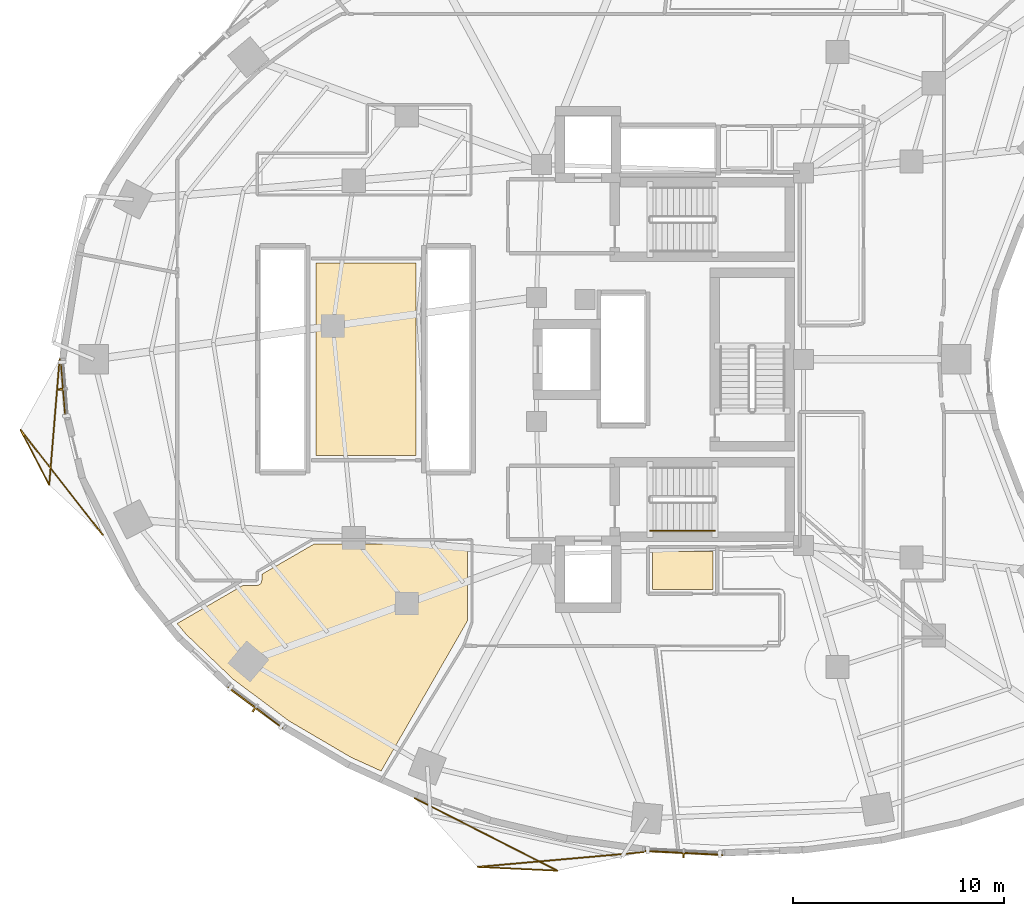
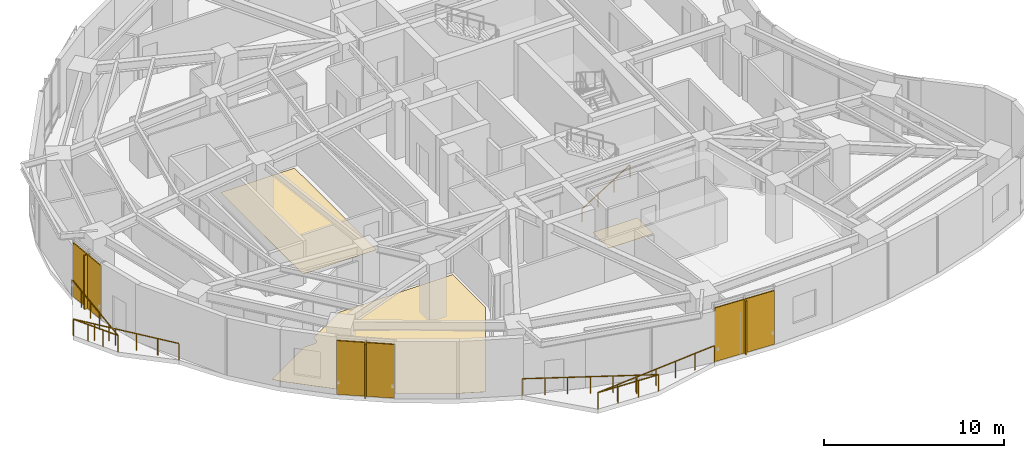
# One storey, part 13 of 15: 6 shading devices, 3 coverings, 3 railings.
"""IFC4 building model written with IfcOpenShell, lengths in metres."""

from ifc_helpers import new_model, si_unit, direction, frame, origin, origin_2d, place, context, subcontext, project, spatial, polyline, rectangle, outline, extrude, material, layer, layer_set, type_object, element, save


model = new_model("IFC4")

# Units and contexts
model_context = context("Model", 3, precision=1e-05, world=origin(), true_north=direction((0.0, 1.0)))
body_context = subcontext(model_context, "Body", "Model", "MODEL_VIEW")
ifc_project = project(units=[si_unit("LENGTHUNIT", "METRE"), si_unit("AREAUNIT", "SQUARE_METRE"), si_unit("VOLUMEUNIT", "CUBIC_METRE"), si_unit("PLANEANGLEUNIT", "RADIAN"), si_unit("MASSUNIT", "GRAM", prefix="KILO")], contexts=[model_context])

# Site, building, storey
site_placement = place(None, origin())
site = spatial("IfcSite", under=ifc_project, at=site_placement, CompositionType="ELEMENT")
building_placement = place(site_placement, origin())
building = spatial("IfcBuilding", under=site, at=building_placement, Name="Korentha Bioscience Tower", CompositionType="ELEMENT")
storey_placement = place(building_placement, frame((0.0, 0.0, 72.0)))
storey = spatial("IfcBuildingStorey", under=building, at=storey_placement, Name="L16", CompositionType="ELEMENT", Elevation=72.0)

# Railings
ifc_material_1 = material(Name="Stainless Steel 304", Category="steel")
railing_type_1 = type_object("IfcRailingType", Name="Brushed Stainless Stair Handrail 900", PredefinedType="HANDRAIL", material=ifc_material_1)
railing_1_placement = place(storey_placement, frame((30.25, 18.85009765625, 0.175048828125)))
element("IfcRailing", 1, at=railing_1_placement, inside=storey, type_object=railing_type_1, Name="L16 ST-2 stair handrail 1", PredefinedType="HANDRAIL", context=body_context, shape_type="SweptSolid", body=[
    extrude(rectangle(XDim=0.048095703125, YDim=0.048095703125, at=origin_2d()), frame((0.0, 0.0, 0.8759765625), z_axis=(0.847998304005, 0.0, 0.529998940003), x_axis=(0.0, 1.0, 0.0)), (0.0, 0.0, 1.0), 3.632080078125),
    extrude(rectangle(XDim=0.0419921875, YDim=0.0419921875, at=origin_2d()), origin(), (0.0, 0.0, 1.0), 0.851806640625),
    extrude(rectangle(XDim=0.0419921875, YDim=0.0419921875, at=origin_2d()), frame((1.026611328125, 0.0, 0.6416015625)), (0.0, 0.0, 1.0), 0.851806640625),
    extrude(rectangle(XDim=0.0419921875, YDim=0.0419921875, at=origin_2d()), frame((2.053466796875, 0.0, 1.283447265625)), (0.0, 0.0, 1.0), 0.851806640625),
    extrude(rectangle(XDim=0.0419921875, YDim=0.0419921875, at=origin_2d()), frame((3.080078125, 0.0, 1.925048828125)), (0.0, 0.0, 1.0), 0.851806640625),
])
ifc_material_2 = material(Name="Laminated Tempered Safety Glass", Category="glass")
railing_type_2 = type_object("IfcRailingType", Name="Laminated Glass Balcony Guardrail 1150", PredefinedType="BALUSTRADE", material=ifc_material_2)
railing_2_placement = place(storey_placement, frame((2.199951171875, 27.0, 0.0)))
element("IfcRailing", 2, at=railing_2_placement, inside=storey, type_object=railing_type_2, Name="L16 Balcony Guardrail 02", PredefinedType="BALUSTRADE", context=body_context, shape_type="SweptSolid", body=[
    extrude(rectangle(XDim=0.048095703125, YDim=0.048095703125, at=origin_2d()), frame((0.0, 0.0, 1.1259765625), z_axis=(-0.082377218536, -0.996601221084, 0.0), x_axis=(0.996601221084, -0.082377218536, 0.0)), (0.0, 0.0, 1.0), 5.986572265625),
    extrude(rectangle(XDim=0.048095703125, YDim=0.048095703125, at=origin_2d()), frame((-0.4931640625, -5.96630859375, 1.1259765625), z_axis=(-0.46168810781, 0.887042327686, 0.0), x_axis=(-0.887042327686, -0.46168810781, 0.0)), (0.0, 0.0, 1.0), 2.95654296875),
    extrude(rectangle(XDim=0.048095703125, YDim=0.048095703125, at=origin_2d()), frame((-1.858154296875, -3.34375, 1.1259765625), z_axis=(0.616598258168, -0.787277961094, 0.0), x_axis=(0.787277961094, 0.616598258168, 0.0)), (0.0, 0.0, 1.0), 6.332275390625),
    extrude(rectangle(XDim=0.0419921875, YDim=0.0419921875, at=origin_2d()), origin(), (0.0, 0.0, 1.0), 1.101806640625),
    extrude(rectangle(XDim=0.0419921875, YDim=0.0419921875, at=origin_2d()), frame((-0.0986328125, -1.193359375, 0.0)), (0.0, 0.0, 1.0), 1.101806640625),
    extrude(rectangle(XDim=0.0419921875, YDim=0.0419921875, at=origin_2d()), frame((-0.197265625, -2.386474609375, 0.0)), (0.0, 0.0, 1.0), 1.101806640625),
    extrude(rectangle(XDim=0.0419921875, YDim=0.0419921875, at=origin_2d()), frame((-0.2958984375, -3.579833984375, 0.0)), (0.0, 0.0, 1.0), 1.101806640625),
    extrude(rectangle(XDim=0.0419921875, YDim=0.0419921875, at=origin_2d()), frame((-0.39453125, -4.77294921875, 0.0)), (0.0, 0.0, 1.0), 1.101806640625),
    extrude(rectangle(XDim=0.0419921875, YDim=0.0419921875, at=origin_2d()), frame((-0.4931640625, -5.96630859375, 0.0)), (0.0, 0.0, 1.0), 1.101806640625),
    extrude(rectangle(XDim=0.0419921875, YDim=0.0419921875, at=origin_2d()), frame((-0.9482421875, -5.092041015625, 0.0)), (0.0, 0.0, 1.0), 1.101806640625),
    extrude(rectangle(XDim=0.0419921875, YDim=0.0419921875, at=origin_2d()), frame((-1.403076171875, -4.218017578125, 0.0)), (0.0, 0.0, 1.0), 1.101806640625),
    extrude(rectangle(XDim=0.0419921875, YDim=0.0419921875, at=origin_2d()), frame((-1.858154296875, -3.34375, 0.0)), (0.0, 0.0, 1.0), 1.101806640625),
    extrude(rectangle(XDim=0.0419921875, YDim=0.0419921875, at=origin_2d()), frame((-1.0771484375, -4.3408203125, 0.0)), (0.0, 0.0, 1.0), 1.101806640625),
    extrude(rectangle(XDim=0.0419921875, YDim=0.0419921875, at=origin_2d()), frame((-0.29638671875, -5.337890625, 0.0)), (0.0, 0.0, 1.0), 1.101806640625),
    extrude(rectangle(XDim=0.0419921875, YDim=0.0419921875, at=origin_2d()), frame((0.484619140625, -6.3349609375, 0.0)), (0.0, 0.0, 1.0), 1.101806640625),
    extrude(rectangle(XDim=0.0419921875, YDim=0.0419921875, at=origin_2d()), frame((1.265380859375, -7.33203125, 0.0)), (0.0, 0.0, 1.0), 1.101806640625),
    extrude(rectangle(XDim=0.0419921875, YDim=0.0419921875, at=origin_2d()), frame((2.04638671875, -8.3291015625, 0.0)), (0.0, 0.0, 1.0), 1.101806640625),
])
railing_3_placement = place(storey_placement, frame((19.07080078125, 6.162353515625, 0.0)))
element("IfcRailing", 3, at=railing_3_placement, inside=storey, type_object=railing_type_2, Name="L16 Balcony Guardrail 03", PredefinedType="BALUSTRADE", context=body_context, shape_type="SweptSolid", body=[
    extrude(rectangle(XDim=0.048095703125, YDim=0.048095703125, at=origin_2d()), frame((0.0, 0.0, 1.1259765625), z_axis=(0.891319654486, -0.45337542228, 0.0), x_axis=(0.45337542228, 0.891319654486, 0.0)), (0.0, 0.0, 1.0), 7.610107421875),
    extrude(rectangle(XDim=0.048095703125, YDim=0.048095703125, at=origin_2d()), frame((6.782958984375, -3.4501953125, 1.1259765625), z_axis=(-0.998888075522, 0.047144592276, 0.0), x_axis=(-0.047144592276, -0.998888075522, 0.0)), (0.0, 0.0, 1.0), 3.80615234375),
    extrude(rectangle(XDim=0.048095703125, YDim=0.048095703125, at=origin_2d()), frame((2.98095703125, -3.270751953125, 1.1259765625), z_axis=(0.996070888577, 0.088559499377, 0.0), x_axis=(-0.088559499377, 0.996070888577, 0.0)), (0.0, 0.0, 1.0), 7.920166015625),
    extrude(rectangle(XDim=0.0419921875, YDim=0.0419921875, at=origin_2d()), origin(), (0.0, 0.0, 1.0), 1.101806640625),
    extrude(rectangle(XDim=0.0419921875, YDim=0.0419921875, at=origin_2d()), frame((1.13037109375, -0.574951171875, 0.0)), (0.0, 0.0, 1.0), 1.101806640625),
    extrude(rectangle(XDim=0.0419921875, YDim=0.0419921875, at=origin_2d()), frame((2.260986328125, -1.150146484375, 0.0)), (0.0, 0.0, 1.0), 1.101806640625),
    extrude(rectangle(XDim=0.0419921875, YDim=0.0419921875, at=origin_2d()), frame((3.3916015625, -1.72509765625, 0.0)), (0.0, 0.0, 1.0), 1.101806640625),
    extrude(rectangle(XDim=0.0419921875, YDim=0.0419921875, at=origin_2d()), frame((4.52197265625, -2.300048828125, 0.0)), (0.0, 0.0, 1.0), 1.101806640625),
    extrude(rectangle(XDim=0.0419921875, YDim=0.0419921875, at=origin_2d()), frame((5.65234375, -2.875244140625, 0.0)), (0.0, 0.0, 1.0), 1.101806640625),
    extrude(rectangle(XDim=0.0419921875, YDim=0.0419921875, at=origin_2d()), frame((6.782958984375, -3.4501953125, 0.0)), (0.0, 0.0, 1.0), 1.101806640625),
    extrude(rectangle(XDim=0.0419921875, YDim=0.0419921875, at=origin_2d()), frame((5.515625, -3.390380859375, 0.0)), (0.0, 0.0, 1.0), 1.101806640625),
    extrude(rectangle(XDim=0.0419921875, YDim=0.0419921875, at=origin_2d()), frame((4.248291015625, -3.33056640625, 0.0)), (0.0, 0.0, 1.0), 1.101806640625),
    extrude(rectangle(XDim=0.0419921875, YDim=0.0419921875, at=origin_2d()), frame((2.98095703125, -3.270751953125, 0.0)), (0.0, 0.0, 1.0), 1.101806640625),
    extrude(rectangle(XDim=0.0419921875, YDim=0.0419921875, at=origin_2d()), frame((4.2958984375, -3.15380859375, 0.0)), (0.0, 0.0, 1.0), 1.101806640625),
    extrude(rectangle(XDim=0.0419921875, YDim=0.0419921875, at=origin_2d()), frame((5.610595703125, -3.036865234375, 0.0)), (0.0, 0.0, 1.0), 1.101806640625),
    extrude(rectangle(XDim=0.0419921875, YDim=0.0419921875, at=origin_2d()), frame((6.925537109375, -2.919921875, 0.0)), (0.0, 0.0, 1.0), 1.101806640625),
    extrude(rectangle(XDim=0.0419921875, YDim=0.0419921875, at=origin_2d()), frame((8.240478515625, -2.80322265625, 0.0)), (0.0, 0.0, 1.0), 1.101806640625),
    extrude(rectangle(XDim=0.0419921875, YDim=0.0419921875, at=origin_2d()), frame((9.55517578125, -2.686279296875, 0.0)), (0.0, 0.0, 1.0), 1.101806640625),
    extrude(rectangle(XDim=0.0419921875, YDim=0.0419921875, at=origin_2d()), frame((10.8701171875, -2.5693359375, 0.0)), (0.0, 0.0, 1.0), 1.101806640625),
])

# Shading devices
ifc_material_3 = material(Name="Perforated Stone-Ceramic Composite", Category="masonry")
ifc_layer_1 = layer(ifc_material_3, 0.06494140625, Name="Perforated Stone-Ceramic Composite")
ifc_layer_set_1 = layer_set([ifc_layer_1], Name="Perforated Stone-Ceramic Composite (CS-01)")
shading_device_type_1 = type_object("IfcShadingDeviceType", Name="Perforated Stone-Ceramic Solar Screen Panel 65", PredefinedType="USERDEFINED", material=ifc_layer_set_1)
shading_device_1_placement = place(storey_placement, frame((2.37451171875, 25.58935546875, 0.0), z_axis=(0.0, 0.0, 1.0), x_axis=(0.080820466375, -0.996728675325, 0.0)))
element("IfcShadingDevice", 4, at=shading_device_1_placement, inside=storey, type_object=shading_device_type_1, Name="CW-L16-19 Perforated Stone-Ceramic Solar Screen", ObjectType="SCREEN", PredefinedType="USERDEFINED", context=body_context, shape_type="SweptSolid", body=[
    extrude(rectangle(XDim=2.739990234375, YDim=0.06494140625, at=origin_2d()), origin(), (0.0, 0.0, 1.0), 3.64990234375),
])
shading_device_2_placement = place(storey_placement, frame((11.503662109375, 10.455078125, 0.0), z_axis=(0.0, 0.0, 1.0), x_axis=(0.800797909614, -0.598934644145, 0.0)))
element("IfcShadingDevice", 5, at=shading_device_2_placement, inside=storey, type_object=shading_device_type_1, Name="CW-L16-25 Perforated Stone-Ceramic Solar Screen", ObjectType="SCREEN", PredefinedType="USERDEFINED", context=body_context, shape_type="SweptSolid", body=[
    extrude(rectangle(XDim=3.260986328125, YDim=0.06494140625, at=origin_2d()), origin(), (0.0, 0.0, 1.0), 3.64990234375),
])
shading_device_3_placement = place(storey_placement, frame((31.85009765625, 3.556640625, 0.0), z_axis=(0.0, 0.0, 1.0), x_axis=(0.998730551641, -0.050371472279, 0.0)))
element("IfcShadingDevice", 6, at=shading_device_3_placement, inside=storey, type_object=shading_device_type_1, Name="CW-L16-31 Perforated Stone-Ceramic Solar Screen", ObjectType="SCREEN", PredefinedType="USERDEFINED", context=body_context, shape_type="SweptSolid", body=[
    extrude(rectangle(XDim=3.717041015625, YDim=0.06494140625, at=origin_2d()), origin(), (0.0, 0.0, 1.0), 3.64990234375),
])

# Coverings
ifc_material_4 = material(Name="Chemical-Resistant Epoxy Resin", Category="polymer")
ifc_layer_2 = layer(ifc_material_4, 0.011962890625, Name="Chemical-Resistant Epoxy Resin")
ifc_layer_set_2 = layer_set([ifc_layer_2], Name="Chemical-Resistant Epoxy Resin (FL-EPX)")
covering_type = type_object("IfcCoveringType", Name="Seamless Epoxy Laboratory Flooring 12", PredefinedType="FLOORING", material=ifc_layer_set_2)
covering_1_placement = place(storey_placement, origin())
element("IfcCovering", 7, at=covering_1_placement, inside=storey, type_object=covering_type, Name="L16 Core Instrumentation and Gas Store Floor Finish", PredefinedType="FLOORING", context=body_context, shape_type="SweptSolid", body=[
    extrude(outline(polyline([(30.3701171875, 16.080078125), (30.3701171875, 17.8701171875), (33.22998046875, 17.8701171875), (33.22998046875, 16.080078125), (30.3701171875, 16.080078125)])), origin(), (0.0, 0.0, 1.0), 0.011962890625),
])
covering_2_placement = place(storey_placement, origin())
element("IfcCovering", 8, at=covering_2_placement, inside=storey, type_object=covering_type, Name="L16 Biomechanical Motion Analysis Lab 01 Floor Finish", PredefinedType="FLOORING", context=body_context, shape_type="SweptSolid", body=[
    extrude(outline(polyline([(14.3798828125, 22.429931640625), (14.380126953125, 31.570068359375), (19.1201171875, 31.570068359375), (19.1201171875, 22.429931640625), (14.3798828125, 22.429931640625)])), origin(), (0.0, 0.0, 1.0), 0.011962890625),
])
covering_3_placement = place(storey_placement, origin())
element("IfcCovering", 9, at=covering_3_placement, inside=storey, type_object=covering_type, Name="L16 Research Colloquium Seminar Room 03 Floor Finish", PredefinedType="FLOORING", context=body_context, shape_type="SweptSolid", body=[
    extrude(outline(polyline([(8.206787109375, 13.9453125), (7.782958984375, 14.45263671875), (10.904296875, 16.261962890625), (11.591796875, 16.270263671875), (11.69775390625, 16.302490234375), (11.764404296875, 16.362548828125), (11.80322265625, 16.444580078125), (11.81005859375, 16.7939453125), (14.27001953125, 18.219970703125), (21.570068359375, 18.219970703125), (21.570068359375, 14.570068359375), (17.47412109375, 7.447021484375), (16.0458984375, 8.09521484375), (13.09619140625, 9.826171875), (10.451904296875, 11.8037109375), (8.206787109375, 13.9453125)])), origin(), (0.0, 0.0, 1.0), 0.011962890625),
])

# Shading devices
ifc_material_5 = material(Name="Honed Travertine Limestone", Category="masonry")
ifc_layer_3 = layer(ifc_material_5, 0.080078125, Name="Honed Travertine Limestone")
ifc_layer_set_3 = layer_set([ifc_layer_3], Name="Honed Travertine Limestone (CS-02)")
shading_device_type_2 = type_object("IfcShadingDeviceType", Name="Vertical Honed Limestone Sunshade Fin 80x420", PredefinedType="USERDEFINED", material=ifc_layer_set_3)
for number, where, z_axis, x_axis, name in (
    (10, (2.354736328125, 25.587890625, 0.0), (0.0, 0.0, 1.0), (0.080820466375, -0.996728675325, 0.0), "CW-L16-19 Limestone Sunshade Fin"),
    (11, (11.49169921875, 10.439208984375, 0.0), (0.0, 0.0, 1.0), (0.800797909614, -0.598934644145, 0.0), "CW-L16-25 Limestone Sunshade Fin"),
    (12, (31.84912109375, 3.536865234375, 0.0), (0.0, 0.0, 1.0), (0.998730551641, -0.050371472279, 0.0), "CW-L16-31 Limestone Sunshade Fin"),
):
    element("IfcShadingDevice", number, at=place(storey_placement, frame(where, z_axis=z_axis, x_axis=x_axis)), inside=storey, type_object=shading_device_type_2, Name=name, ObjectType="SCREEN", PredefinedType="USERDEFINED", context=body_context, shape_type="SweptSolid", body=[
        extrude(rectangle(XDim=0.080078125, YDim=0.419921875, at=origin_2d()), origin(), (0.0, 0.0, 1.0), 3.64990234375),
    ])

save(model, "model.ifc")
